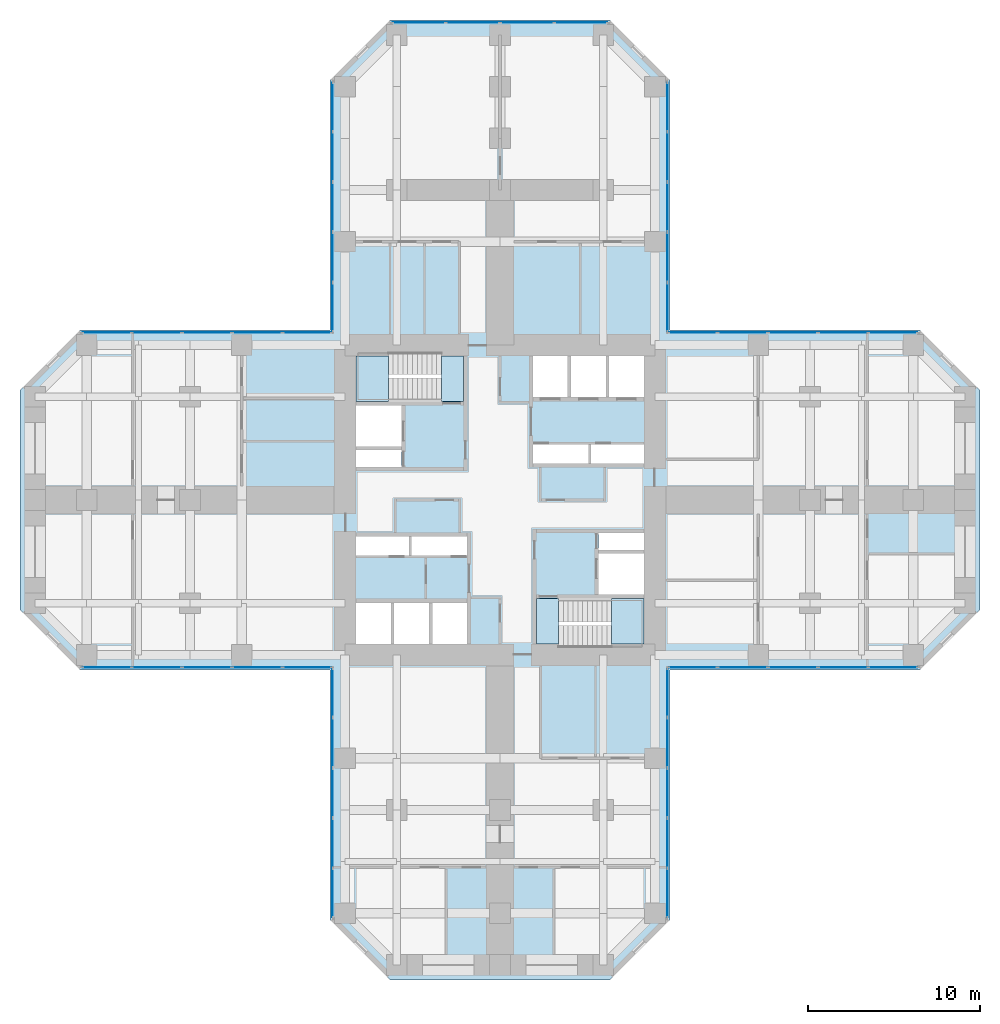
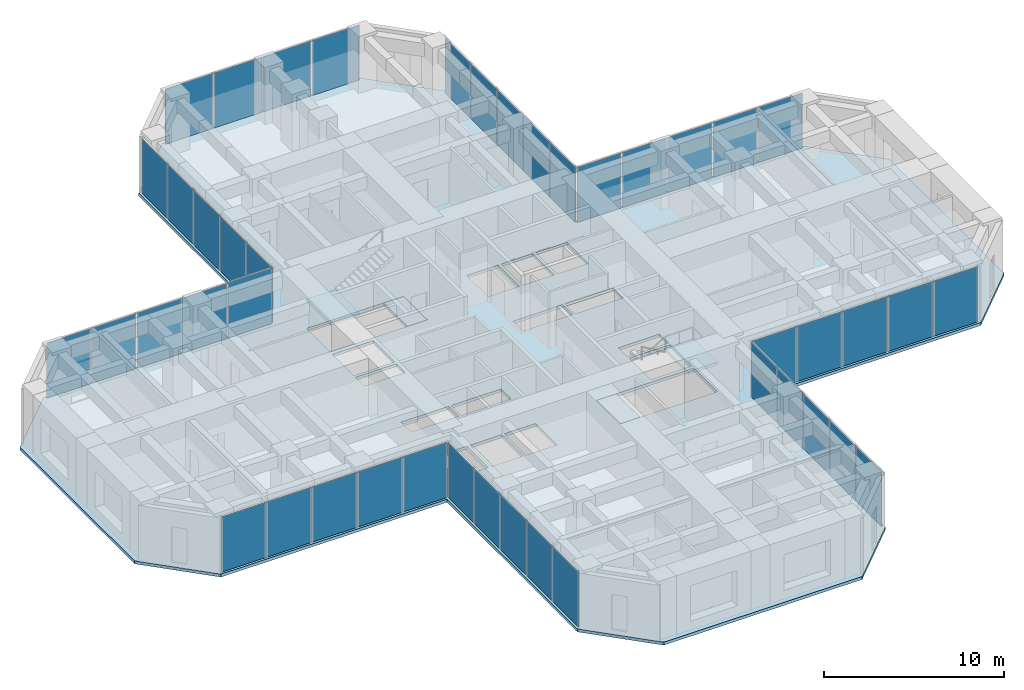
# One storey, part 7 of 13: 44 plates, 5 slabs, 11 elements without a shape of their own.
"""IFC4 building model written with IfcOpenShell, lengths in metres."""

from ifc_helpers import new_model, si_unit, direction, frame, origin, origin_2d, place, context, subcontext, project, spatial, polyline, rectangle, outline, extrude, material, layer, layer_set, type_object, element, aggregate, save


model = new_model("IFC4")

# Units and contexts
model_context = context("Model", 3, precision=1e-05, world=origin(), true_north=direction((0.0, 1.0)))
body_context = subcontext(model_context, "Body", "Model", "MODEL_VIEW")
ifc_project = project(units=[si_unit("LENGTHUNIT", "METRE"), si_unit("AREAUNIT", "SQUARE_METRE"), si_unit("VOLUMEUNIT", "CUBIC_METRE"), si_unit("PLANEANGLEUNIT", "RADIAN"), si_unit("MASSUNIT", "GRAM", prefix="KILO")], contexts=[model_context])

# Site, building, storey
site_placement = place(None, origin())
site = spatial("IfcSite", under=ifc_project, at=site_placement, CompositionType="ELEMENT")
building_placement = place(site_placement, origin())
building = spatial("IfcBuilding", under=site, at=building_placement, Name="Torre Cruceta", CompositionType="ELEMENT")
storey_placement = place(building_placement, frame((0.0, 0.0, 31.5)))
storey = spatial("IfcBuildingStorey", under=building, at=storey_placement, Name="L07", CompositionType="ELEMENT", Elevation=31.5)

# Curtain wall, plate
ifc_material_1 = material(Name="Aluminium unitised curtain wall", Category="aluminium")
curtain_wall_type = type_object("IfcCurtainWallType", Name="CURTAIN WALL CW-A OFFICE LOW RISE", PredefinedType="USERDEFINED", material=ifc_material_1)
curtain_wall_1_placement = place(storey_placement, origin())
curtain_wall_1 = element("IfcCurtainWall", 1, at=curtain_wall_1_placement, inside=storey, type_object=curtain_wall_type, Name="CW-A L07 E side 00", ObjectType="UNITISED", PredefinedType="USERDEFINED")
ifc_material_2 = material(Name="Laminated insulating glass unit, diagonal frit 50 %", Category="glass")
ifc_material_3 = material(Name="Laminated insulating glass unit, diagonal frit 50 %", Category="glass")
ifc_layer_1 = layer(ifc_material_3, 0.033935546875)
ifc_layer_set_1 = layer_set([ifc_layer_1], Name="Laminated insulating glass unit, diagonal frit 50 %")
plate_type_1 = type_object("IfcPlateType", Name="CW-A OPERABLE VENT PANEL 34", PredefinedType="CURTAIN_PANEL", material=ifc_layer_set_1)
plate_1_placement = place(storey_placement, frame((17.009033203125, -9.719970703125, 0.010009765625), z_axis=(0.0, 0.0, 1.0), x_axis=(1.0, 0.0, 0.0)))
plate_1 = element("IfcPlate", 2, at=plate_1_placement, type_object=plate_type_1, material=ifc_material_2, Name="CW-A vent 3", PredefinedType="CURTAIN_PANEL", context=body_context, shape_type="SweptSolid", body=[
    extrude(rectangle(XDim=2.8505859375, YDim=0.033935546875, at=origin_2d()), origin(), (0.0, 0.0, 1.0), 3.72509765625),
])

curtain_wall_2_placement = place(storey_placement, origin())
curtain_wall_2 = element("IfcCurtainWall", 3, at=curtain_wall_2_placement, inside=storey, type_object=curtain_wall_type, Name="CW-A L07 E side 04", ObjectType="UNITISED", PredefinedType="USERDEFINED")
plate_2_placement = place(storey_placement, frame((17.009033203125, 9.719970703125, 0.010009765625), z_axis=(0.0, 0.0, 1.0), x_axis=(-1.0, 0.0, 0.0)))
plate_2 = element("IfcPlate", 4, at=plate_2_placement, type_object=plate_type_1, material=ifc_material_2, Name="CW-A vent 3", PredefinedType="CURTAIN_PANEL", context=body_context, shape_type="SweptSolid", body=[
    extrude(rectangle(XDim=2.8505859375, YDim=0.033935546875, at=origin_2d()), origin(), (0.0, 0.0, 1.0), 3.72509765625),
])

curtain_wall_3_placement = place(storey_placement, origin())
curtain_wall_3 = element("IfcCurtainWall", 5, at=curtain_wall_3_placement, inside=storey, type_object=curtain_wall_type, Name="CW-A L07 N side 05", ObjectType="UNITISED", PredefinedType="USERDEFINED")
plate_3_placement = place(storey_placement, frame((9.719970703125, 17.009033203125, 0.010009765625), z_axis=(0.0, 0.0, 1.0), x_axis=(0.0, 1.0, 0.0)))
plate_3 = element("IfcPlate", 6, at=plate_3_placement, type_object=plate_type_1, material=ifc_material_2, Name="CW-A vent 3", PredefinedType="CURTAIN_PANEL", context=body_context, shape_type="SweptSolid", body=[
    extrude(rectangle(XDim=2.8505859375, YDim=0.033935546875, at=origin_2d()), origin(), (0.0, 0.0, 1.0), 3.72509765625),
])

curtain_wall_4_placement = place(storey_placement, origin())
curtain_wall_4 = element("IfcCurtainWall", 7, at=curtain_wall_4_placement, inside=storey, type_object=curtain_wall_type, Name="CW-A L07 N tip 07", ObjectType="UNITISED", PredefinedType="USERDEFINED")
plate_4_placement = place(storey_placement, frame((-1.574462890625, 27.719970703125, 0.010009765625), z_axis=(0.0, 0.0, 1.0), x_axis=(-1.0, 0.0, 0.0)))
plate_4 = element("IfcPlate", 8, at=plate_4_placement, type_object=plate_type_1, material=ifc_material_2, Name="CW-A vent 3", PredefinedType="CURTAIN_PANEL", context=body_context, shape_type="SweptSolid", body=[
    extrude(rectangle(XDim=3.084228515625, YDim=0.033935546875, at=origin_2d()), origin(), (0.0, 0.0, 1.0), 3.72509765625),
])

curtain_wall_5_placement = place(storey_placement, origin())
curtain_wall_5 = element("IfcCurtainWall", 9, at=curtain_wall_5_placement, inside=storey, type_object=curtain_wall_type, Name="CW-A L07 N side 09", ObjectType="UNITISED", PredefinedType="USERDEFINED")
plate_5_placement = place(storey_placement, frame((-9.719970703125, 17.009033203125, 0.010009765625), z_axis=(0.0, 0.0, 1.0), x_axis=(0.0, -1.0, 0.0)))
plate_5 = element("IfcPlate", 10, at=plate_5_placement, type_object=plate_type_1, material=ifc_material_2, Name="CW-A vent 3", PredefinedType="CURTAIN_PANEL", context=body_context, shape_type="SweptSolid", body=[
    extrude(rectangle(XDim=2.8505859375, YDim=0.033935546875, at=origin_2d()), origin(), (0.0, 0.0, 1.0), 3.72509765625),
])

curtain_wall_6_placement = place(storey_placement, origin())
curtain_wall_6 = element("IfcCurtainWall", 11, at=curtain_wall_6_placement, inside=storey, type_object=curtain_wall_type, Name="CW-A L07 W side 10", ObjectType="UNITISED", PredefinedType="USERDEFINED")
plate_6_placement = place(storey_placement, frame((-17.009033203125, 9.719970703125, 0.010009765625), z_axis=(0.0, 0.0, 1.0), x_axis=(-1.0, 0.0, 0.0)))
plate_6 = element("IfcPlate", 12, at=plate_6_placement, type_object=plate_type_1, material=ifc_material_2, Name="CW-A vent 3", PredefinedType="CURTAIN_PANEL", context=body_context, shape_type="SweptSolid", body=[
    extrude(rectangle(XDim=2.8505859375, YDim=0.033935546875, at=origin_2d()), origin(), (0.0, 0.0, 1.0), 3.72509765625),
])

curtain_wall_7_placement = place(storey_placement, origin())
curtain_wall_7 = element("IfcCurtainWall", 13, at=curtain_wall_7_placement, inside=storey, type_object=curtain_wall_type, Name="CW-A L07 W side 14", ObjectType="UNITISED", PredefinedType="USERDEFINED")
plate_7_placement = place(storey_placement, frame((-17.009033203125, -9.719970703125, 0.010009765625), z_axis=(0.0, 0.0, 1.0), x_axis=(1.0, 0.0, 0.0)))
plate_7 = element("IfcPlate", 14, at=plate_7_placement, type_object=plate_type_1, material=ifc_material_2, Name="CW-A vent 3", PredefinedType="CURTAIN_PANEL", context=body_context, shape_type="SweptSolid", body=[
    extrude(rectangle(XDim=2.8505859375, YDim=0.033935546875, at=origin_2d()), origin(), (0.0, 0.0, 1.0), 3.72509765625),
])

curtain_wall_8_placement = place(storey_placement, origin())
curtain_wall_8 = element("IfcCurtainWall", 15, at=curtain_wall_8_placement, inside=storey, type_object=curtain_wall_type, Name="CW-A L07 S side 15", ObjectType="UNITISED", PredefinedType="USERDEFINED")
plate_8_placement = place(storey_placement, frame((-9.719970703125, -17.009033203125, 0.010009765625), z_axis=(0.0, 0.0, 1.0), x_axis=(0.0, -1.0, 0.0)))
plate_8 = element("IfcPlate", 16, at=plate_8_placement, type_object=plate_type_1, material=ifc_material_2, Name="CW-A vent 3", PredefinedType="CURTAIN_PANEL", context=body_context, shape_type="SweptSolid", body=[
    extrude(rectangle(XDim=2.8505859375, YDim=0.033935546875, at=origin_2d()), origin(), (0.0, 0.0, 1.0), 3.72509765625),
])

curtain_wall_9_placement = place(storey_placement, origin())
curtain_wall_9 = element("IfcCurtainWall", 17, at=curtain_wall_9_placement, inside=storey, type_object=curtain_wall_type, Name="CW-A L07 S side 19", ObjectType="UNITISED", PredefinedType="USERDEFINED")
plate_9_placement = place(storey_placement, frame((9.719970703125, -17.009033203125, 0.010009765625), z_axis=(0.0, 0.0, 1.0), x_axis=(0.0, 1.0, 0.0)))
plate_9 = element("IfcPlate", 18, at=plate_9_placement, type_object=plate_type_1, material=ifc_material_2, Name="CW-A vent 3", PredefinedType="CURTAIN_PANEL", context=body_context, shape_type="SweptSolid", body=[
    extrude(rectangle(XDim=2.8505859375, YDim=0.033935546875, at=origin_2d()), origin(), (0.0, 0.0, 1.0), 3.72509765625),
])

# Plate
ifc_material_4 = material(Name="Laminated insulating glass unit, low-iron clear", Category="glass")
ifc_material_5 = material(Name="Laminated insulating glass unit, diagonal frit 50 %", Category="glass")
ifc_layer_2 = layer(ifc_material_5, 0.033935546875)
ifc_layer_set_2 = layer_set([ifc_layer_2], Name="Laminated insulating glass unit, diagonal frit 50 %")
plate_type_2 = type_object("IfcPlateType", Name="CW-A PANEL 34", PredefinedType="CURTAIN_PANEL", material=ifc_layer_set_2)
plate_10_placement = place(storey_placement, frame((11.194091796875, -9.719970703125, 0.010009765625), z_axis=(0.0, 0.0, 1.0), x_axis=(1.0, 0.0, 0.0)))
plate_10 = element("IfcPlate", 19, at=plate_10_placement, type_object=plate_type_2, material=ifc_material_4, Name="CW-A panel 1", PredefinedType="CURTAIN_PANEL", context=body_context, shape_type="SweptSolid", body=[
    extrude(rectangle(XDim=2.818115234375, YDim=0.033935546875, at=origin_2d()), origin(), (0.0, 0.0, 1.0), 3.72509765625),
])

plate_11_placement = place(storey_placement, frame((14.093505859375, -9.719970703125, 0.010009765625), z_axis=(0.0, 0.0, 1.0), x_axis=(1.0, 0.0, 0.0)))
plate_11 = element("IfcPlate", 20, at=plate_11_placement, type_object=plate_type_2, material=ifc_material_2, Name="CW-A panel 2", PredefinedType="CURTAIN_PANEL", context=body_context, shape_type="SweptSolid", body=[
    extrude(rectangle(XDim=2.8505859375, YDim=0.033935546875, at=origin_2d()), origin(), (0.0, 0.0, 1.0), 3.72509765625),
])

plate_12_placement = place(storey_placement, frame((19.9248046875, -9.719970703125, 0.010009765625), z_axis=(0.0, 0.0, 1.0), x_axis=(1.0, 0.0, 0.0)))
plate_12 = element("IfcPlate", 21, at=plate_12_placement, type_object=plate_type_2, material=ifc_material_2, Name="CW-A panel 4", PredefinedType="CURTAIN_PANEL", context=body_context, shape_type="SweptSolid", body=[
    extrude(rectangle(XDim=2.8505859375, YDim=0.033935546875, at=origin_2d()), origin(), (0.0, 0.0, 1.0), 3.72509765625),
])

plate_13_placement = place(storey_placement, frame((22.82421875, -9.719970703125, 0.010009765625), z_axis=(0.0, 0.0, 1.0), x_axis=(1.0, 0.0, 0.0)))
plate_13 = element("IfcPlate", 22, at=plate_13_placement, type_object=plate_type_2, material=ifc_material_2, Name="CW-A panel 5", PredefinedType="CURTAIN_PANEL", context=body_context, shape_type="SweptSolid", body=[
    extrude(rectangle(XDim=2.818115234375, YDim=0.033935546875, at=origin_2d()), origin(), (0.0, 0.0, 1.0), 3.72509765625),
])

aggregate(curtain_wall_1, [plate_10, plate_11, plate_1, plate_12, plate_13])

plate_14_placement = place(storey_placement, frame((22.82421875, 9.719970703125, 0.010009765625), z_axis=(0.0, 0.0, 1.0), x_axis=(-1.0, 0.0, 0.0)))
plate_14 = element("IfcPlate", 23, at=plate_14_placement, type_object=plate_type_2, material=ifc_material_4, Name="CW-A panel 1", PredefinedType="CURTAIN_PANEL", context=body_context, shape_type="SweptSolid", body=[
    extrude(rectangle(XDim=2.818115234375, YDim=0.033935546875, at=origin_2d()), origin(), (0.0, 0.0, 1.0), 3.72509765625),
])

plate_15_placement = place(storey_placement, frame((19.9248046875, 9.719970703125, 0.010009765625), z_axis=(0.0, 0.0, 1.0), x_axis=(-1.0, 0.0, 0.0)))
plate_15 = element("IfcPlate", 24, at=plate_15_placement, type_object=plate_type_2, material=ifc_material_2, Name="CW-A panel 2", PredefinedType="CURTAIN_PANEL", context=body_context, shape_type="SweptSolid", body=[
    extrude(rectangle(XDim=2.8505859375, YDim=0.033935546875, at=origin_2d()), origin(), (0.0, 0.0, 1.0), 3.72509765625),
])

plate_16_placement = place(storey_placement, frame((14.093505859375, 9.719970703125, 0.010009765625), z_axis=(0.0, 0.0, 1.0), x_axis=(-1.0, 0.0, 0.0)))
plate_16 = element("IfcPlate", 25, at=plate_16_placement, type_object=plate_type_2, material=ifc_material_2, Name="CW-A panel 4", PredefinedType="CURTAIN_PANEL", context=body_context, shape_type="SweptSolid", body=[
    extrude(rectangle(XDim=2.8505859375, YDim=0.033935546875, at=origin_2d()), origin(), (0.0, 0.0, 1.0), 3.72509765625),
])

plate_17_placement = place(storey_placement, frame((11.194091796875, 9.719970703125, 0.010009765625), z_axis=(0.0, 0.0, 1.0), x_axis=(-1.0, 0.0, 0.0)))
plate_17 = element("IfcPlate", 26, at=plate_17_placement, type_object=plate_type_2, material=ifc_material_2, Name="CW-A panel 5", PredefinedType="CURTAIN_PANEL", context=body_context, shape_type="SweptSolid", body=[
    extrude(rectangle(XDim=2.818115234375, YDim=0.033935546875, at=origin_2d()), origin(), (0.0, 0.0, 1.0), 3.72509765625),
])

aggregate(curtain_wall_2, [plate_14, plate_15, plate_2, plate_16, plate_17])

plate_18_placement = place(storey_placement, frame((9.719970703125, 11.194091796875, 0.010009765625), z_axis=(0.0, 0.0, 1.0), x_axis=(0.0, 1.0, 0.0)))
plate_18 = element("IfcPlate", 27, at=plate_18_placement, type_object=plate_type_2, material=ifc_material_4, Name="CW-A panel 1", PredefinedType="CURTAIN_PANEL", context=body_context, shape_type="SweptSolid", body=[
    extrude(rectangle(XDim=2.818115234375, YDim=0.033935546875, at=origin_2d()), origin(), (0.0, 0.0, 1.0), 3.72509765625),
])

plate_19_placement = place(storey_placement, frame((9.719970703125, 14.093505859375, 0.010009765625), z_axis=(0.0, 0.0, 1.0), x_axis=(0.0, 1.0, 0.0)))
plate_19 = element("IfcPlate", 28, at=plate_19_placement, type_object=plate_type_2, material=ifc_material_2, Name="CW-A panel 2", PredefinedType="CURTAIN_PANEL", context=body_context, shape_type="SweptSolid", body=[
    extrude(rectangle(XDim=2.8505859375, YDim=0.033935546875, at=origin_2d()), origin(), (0.0, 0.0, 1.0), 3.72509765625),
])

plate_20_placement = place(storey_placement, frame((9.719970703125, 19.9248046875, 0.010009765625), z_axis=(0.0, 0.0, 1.0), x_axis=(0.0, 1.0, 0.0)))
plate_20 = element("IfcPlate", 29, at=plate_20_placement, type_object=plate_type_2, material=ifc_material_2, Name="CW-A panel 4", PredefinedType="CURTAIN_PANEL", context=body_context, shape_type="SweptSolid", body=[
    extrude(rectangle(XDim=2.8505859375, YDim=0.033935546875, at=origin_2d()), origin(), (0.0, 0.0, 1.0), 3.72509765625),
])

plate_21_placement = place(storey_placement, frame((9.719970703125, 22.82421875, 0.010009765625), z_axis=(0.0, 0.0, 1.0), x_axis=(0.0, 1.0, 0.0)))
plate_21 = element("IfcPlate", 30, at=plate_21_placement, type_object=plate_type_2, material=ifc_material_2, Name="CW-A panel 5", PredefinedType="CURTAIN_PANEL", context=body_context, shape_type="SweptSolid", body=[
    extrude(rectangle(XDim=2.818115234375, YDim=0.033935546875, at=origin_2d()), origin(), (0.0, 0.0, 1.0), 3.72509765625),
])

aggregate(curtain_wall_3, [plate_18, plate_19, plate_3, plate_20, plate_21])

plate_22_placement = place(storey_placement, frame((4.70751953125, 27.719970703125, 0.010009765625), z_axis=(0.0, 0.0, 1.0), x_axis=(-1.0, 0.0, 0.0)))
plate_22 = element("IfcPlate", 31, at=plate_22_placement, type_object=plate_type_2, material=ifc_material_4, Name="CW-A panel 1", PredefinedType="CURTAIN_PANEL", context=body_context, shape_type="SweptSolid", body=[
    extrude(rectangle(XDim=3.051513671875, YDim=0.033935546875, at=origin_2d()), origin(), (0.0, 0.0, 1.0), 3.72509765625),
])

plate_23_placement = place(storey_placement, frame((1.574462890625, 27.719970703125, 0.010009765625), z_axis=(0.0, 0.0, 1.0), x_axis=(-1.0, 0.0, 0.0)))
plate_23 = element("IfcPlate", 32, at=plate_23_placement, type_object=plate_type_2, material=ifc_material_2, Name="CW-A panel 2", PredefinedType="CURTAIN_PANEL", context=body_context, shape_type="SweptSolid", body=[
    extrude(rectangle(XDim=3.084228515625, YDim=0.033935546875, at=origin_2d()), origin(), (0.0, 0.0, 1.0), 3.72509765625),
])

plate_24_placement = place(storey_placement, frame((-4.70751953125, 27.719970703125, 0.010009765625), z_axis=(0.0, 0.0, 1.0), x_axis=(-1.0, 0.0, 0.0)))
plate_24 = element("IfcPlate", 33, at=plate_24_placement, type_object=plate_type_2, material=ifc_material_2, Name="CW-A panel 4", PredefinedType="CURTAIN_PANEL", context=body_context, shape_type="SweptSolid", body=[
    extrude(rectangle(XDim=3.051513671875, YDim=0.033935546875, at=origin_2d()), origin(), (0.0, 0.0, 1.0), 3.72509765625),
])

aggregate(curtain_wall_4, [plate_22, plate_23, plate_4, plate_24])

plate_25_placement = place(storey_placement, frame((-9.719970703125, 22.82421875, 0.010009765625), z_axis=(0.0, 0.0, 1.0), x_axis=(0.0, -1.0, 0.0)))
plate_25 = element("IfcPlate", 34, at=plate_25_placement, type_object=plate_type_2, material=ifc_material_4, Name="CW-A panel 1", PredefinedType="CURTAIN_PANEL", context=body_context, shape_type="SweptSolid", body=[
    extrude(rectangle(XDim=2.818115234375, YDim=0.033935546875, at=origin_2d()), origin(), (0.0, 0.0, 1.0), 3.72509765625),
])

plate_26_placement = place(storey_placement, frame((-9.719970703125, 19.9248046875, 0.010009765625), z_axis=(0.0, 0.0, 1.0), x_axis=(0.0, -1.0, 0.0)))
plate_26 = element("IfcPlate", 35, at=plate_26_placement, type_object=plate_type_2, material=ifc_material_2, Name="CW-A panel 2", PredefinedType="CURTAIN_PANEL", context=body_context, shape_type="SweptSolid", body=[
    extrude(rectangle(XDim=2.8505859375, YDim=0.033935546875, at=origin_2d()), origin(), (0.0, 0.0, 1.0), 3.72509765625),
])

plate_27_placement = place(storey_placement, frame((-9.719970703125, 14.093505859375, 0.010009765625), z_axis=(0.0, 0.0, 1.0), x_axis=(0.0, -1.0, 0.0)))
plate_27 = element("IfcPlate", 36, at=plate_27_placement, type_object=plate_type_2, material=ifc_material_2, Name="CW-A panel 4", PredefinedType="CURTAIN_PANEL", context=body_context, shape_type="SweptSolid", body=[
    extrude(rectangle(XDim=2.8505859375, YDim=0.033935546875, at=origin_2d()), origin(), (0.0, 0.0, 1.0), 3.72509765625),
])

plate_28_placement = place(storey_placement, frame((-9.719970703125, 11.194091796875, 0.010009765625), z_axis=(0.0, 0.0, 1.0), x_axis=(0.0, -1.0, 0.0)))
plate_28 = element("IfcPlate", 37, at=plate_28_placement, type_object=plate_type_2, material=ifc_material_2, Name="CW-A panel 5", PredefinedType="CURTAIN_PANEL", context=body_context, shape_type="SweptSolid", body=[
    extrude(rectangle(XDim=2.818115234375, YDim=0.033935546875, at=origin_2d()), origin(), (0.0, 0.0, 1.0), 3.72509765625),
])

aggregate(curtain_wall_5, [plate_25, plate_26, plate_5, plate_27, plate_28])

plate_29_placement = place(storey_placement, frame((-11.194091796875, 9.719970703125, 0.010009765625), z_axis=(0.0, 0.0, 1.0), x_axis=(-1.0, 0.0, 0.0)))
plate_29 = element("IfcPlate", 38, at=plate_29_placement, type_object=plate_type_2, material=ifc_material_4, Name="CW-A panel 1", PredefinedType="CURTAIN_PANEL", context=body_context, shape_type="SweptSolid", body=[
    extrude(rectangle(XDim=2.818115234375, YDim=0.033935546875, at=origin_2d()), origin(), (0.0, 0.0, 1.0), 3.72509765625),
])

plate_30_placement = place(storey_placement, frame((-14.093505859375, 9.719970703125, 0.010009765625), z_axis=(0.0, 0.0, 1.0), x_axis=(-1.0, 0.0, 0.0)))
plate_30 = element("IfcPlate", 39, at=plate_30_placement, type_object=plate_type_2, material=ifc_material_2, Name="CW-A panel 2", PredefinedType="CURTAIN_PANEL", context=body_context, shape_type="SweptSolid", body=[
    extrude(rectangle(XDim=2.8505859375, YDim=0.033935546875, at=origin_2d()), origin(), (0.0, 0.0, 1.0), 3.72509765625),
])

plate_31_placement = place(storey_placement, frame((-19.9248046875, 9.719970703125, 0.010009765625), z_axis=(0.0, 0.0, 1.0), x_axis=(-1.0, 0.0, 0.0)))
plate_31 = element("IfcPlate", 40, at=plate_31_placement, type_object=plate_type_2, material=ifc_material_2, Name="CW-A panel 4", PredefinedType="CURTAIN_PANEL", context=body_context, shape_type="SweptSolid", body=[
    extrude(rectangle(XDim=2.8505859375, YDim=0.033935546875, at=origin_2d()), origin(), (0.0, 0.0, 1.0), 3.72509765625),
])

plate_32_placement = place(storey_placement, frame((-22.82421875, 9.719970703125, 0.010009765625), z_axis=(0.0, 0.0, 1.0), x_axis=(-1.0, 0.0, 0.0)))
plate_32 = element("IfcPlate", 41, at=plate_32_placement, type_object=plate_type_2, material=ifc_material_2, Name="CW-A panel 5", PredefinedType="CURTAIN_PANEL", context=body_context, shape_type="SweptSolid", body=[
    extrude(rectangle(XDim=2.818115234375, YDim=0.033935546875, at=origin_2d()), origin(), (0.0, 0.0, 1.0), 3.72509765625),
])

aggregate(curtain_wall_6, [plate_29, plate_30, plate_6, plate_31, plate_32])

plate_33_placement = place(storey_placement, frame((-22.82421875, -9.719970703125, 0.010009765625), z_axis=(0.0, 0.0, 1.0), x_axis=(1.0, 0.0, 0.0)))
plate_33 = element("IfcPlate", 42, at=plate_33_placement, type_object=plate_type_2, material=ifc_material_4, Name="CW-A panel 1", PredefinedType="CURTAIN_PANEL", context=body_context, shape_type="SweptSolid", body=[
    extrude(rectangle(XDim=2.818115234375, YDim=0.033935546875, at=origin_2d()), origin(), (0.0, 0.0, 1.0), 3.72509765625),
])

plate_34_placement = place(storey_placement, frame((-19.9248046875, -9.719970703125, 0.010009765625), z_axis=(0.0, 0.0, 1.0), x_axis=(1.0, 0.0, 0.0)))
plate_34 = element("IfcPlate", 43, at=plate_34_placement, type_object=plate_type_2, material=ifc_material_2, Name="CW-A panel 2", PredefinedType="CURTAIN_PANEL", context=body_context, shape_type="SweptSolid", body=[
    extrude(rectangle(XDim=2.8505859375, YDim=0.033935546875, at=origin_2d()), origin(), (0.0, 0.0, 1.0), 3.72509765625),
])

plate_35_placement = place(storey_placement, frame((-14.093505859375, -9.719970703125, 0.010009765625), z_axis=(0.0, 0.0, 1.0), x_axis=(1.0, 0.0, 0.0)))
plate_35 = element("IfcPlate", 44, at=plate_35_placement, type_object=plate_type_2, material=ifc_material_2, Name="CW-A panel 4", PredefinedType="CURTAIN_PANEL", context=body_context, shape_type="SweptSolid", body=[
    extrude(rectangle(XDim=2.8505859375, YDim=0.033935546875, at=origin_2d()), origin(), (0.0, 0.0, 1.0), 3.72509765625),
])

plate_36_placement = place(storey_placement, frame((-11.194091796875, -9.719970703125, 0.010009765625), z_axis=(0.0, 0.0, 1.0), x_axis=(1.0, 0.0, 0.0)))
plate_36 = element("IfcPlate", 45, at=plate_36_placement, type_object=plate_type_2, material=ifc_material_2, Name="CW-A panel 5", PredefinedType="CURTAIN_PANEL", context=body_context, shape_type="SweptSolid", body=[
    extrude(rectangle(XDim=2.818115234375, YDim=0.033935546875, at=origin_2d()), origin(), (0.0, 0.0, 1.0), 3.72509765625),
])

aggregate(curtain_wall_7, [plate_33, plate_34, plate_7, plate_35, plate_36])

plate_37_placement = place(storey_placement, frame((-9.719970703125, -11.194091796875, 0.010009765625), z_axis=(0.0, 0.0, 1.0), x_axis=(0.0, -1.0, 0.0)))
plate_37 = element("IfcPlate", 46, at=plate_37_placement, type_object=plate_type_2, material=ifc_material_4, Name="CW-A panel 1", PredefinedType="CURTAIN_PANEL", context=body_context, shape_type="SweptSolid", body=[
    extrude(rectangle(XDim=2.818115234375, YDim=0.033935546875, at=origin_2d()), origin(), (0.0, 0.0, 1.0), 3.72509765625),
])

plate_38_placement = place(storey_placement, frame((-9.719970703125, -14.093505859375, 0.010009765625), z_axis=(0.0, 0.0, 1.0), x_axis=(0.0, -1.0, 0.0)))
plate_38 = element("IfcPlate", 47, at=plate_38_placement, type_object=plate_type_2, material=ifc_material_2, Name="CW-A panel 2", PredefinedType="CURTAIN_PANEL", context=body_context, shape_type="SweptSolid", body=[
    extrude(rectangle(XDim=2.8505859375, YDim=0.033935546875, at=origin_2d()), origin(), (0.0, 0.0, 1.0), 3.72509765625),
])

plate_39_placement = place(storey_placement, frame((-9.719970703125, -19.9248046875, 0.010009765625), z_axis=(0.0, 0.0, 1.0), x_axis=(0.0, -1.0, 0.0)))
plate_39 = element("IfcPlate", 48, at=plate_39_placement, type_object=plate_type_2, material=ifc_material_2, Name="CW-A panel 4", PredefinedType="CURTAIN_PANEL", context=body_context, shape_type="SweptSolid", body=[
    extrude(rectangle(XDim=2.8505859375, YDim=0.033935546875, at=origin_2d()), origin(), (0.0, 0.0, 1.0), 3.72509765625),
])

plate_40_placement = place(storey_placement, frame((-9.719970703125, -22.82421875, 0.010009765625), z_axis=(0.0, 0.0, 1.0), x_axis=(0.0, -1.0, 0.0)))
plate_40 = element("IfcPlate", 49, at=plate_40_placement, type_object=plate_type_2, material=ifc_material_2, Name="CW-A panel 5", PredefinedType="CURTAIN_PANEL", context=body_context, shape_type="SweptSolid", body=[
    extrude(rectangle(XDim=2.818115234375, YDim=0.033935546875, at=origin_2d()), origin(), (0.0, 0.0, 1.0), 3.72509765625),
])

aggregate(curtain_wall_8, [plate_37, plate_38, plate_8, plate_39, plate_40])

plate_41_placement = place(storey_placement, frame((9.719970703125, -22.82421875, 0.010009765625), z_axis=(0.0, 0.0, 1.0), x_axis=(0.0, 1.0, 0.0)))
plate_41 = element("IfcPlate", 50, at=plate_41_placement, type_object=plate_type_2, material=ifc_material_4, Name="CW-A panel 1", PredefinedType="CURTAIN_PANEL", context=body_context, shape_type="SweptSolid", body=[
    extrude(rectangle(XDim=2.818115234375, YDim=0.033935546875, at=origin_2d()), origin(), (0.0, 0.0, 1.0), 3.72509765625),
])

plate_42_placement = place(storey_placement, frame((9.719970703125, -19.9248046875, 0.010009765625), z_axis=(0.0, 0.0, 1.0), x_axis=(0.0, 1.0, 0.0)))
plate_42 = element("IfcPlate", 51, at=plate_42_placement, type_object=plate_type_2, material=ifc_material_2, Name="CW-A panel 2", PredefinedType="CURTAIN_PANEL", context=body_context, shape_type="SweptSolid", body=[
    extrude(rectangle(XDim=2.8505859375, YDim=0.033935546875, at=origin_2d()), origin(), (0.0, 0.0, 1.0), 3.72509765625),
])

plate_43_placement = place(storey_placement, frame((9.719970703125, -14.093505859375, 0.010009765625), z_axis=(0.0, 0.0, 1.0), x_axis=(0.0, 1.0, 0.0)))
plate_43 = element("IfcPlate", 52, at=plate_43_placement, type_object=plate_type_2, material=ifc_material_2, Name="CW-A panel 4", PredefinedType="CURTAIN_PANEL", context=body_context, shape_type="SweptSolid", body=[
    extrude(rectangle(XDim=2.8505859375, YDim=0.033935546875, at=origin_2d()), origin(), (0.0, 0.0, 1.0), 3.72509765625),
])

plate_44_placement = place(storey_placement, frame((9.719970703125, -11.194091796875, 0.010009765625), z_axis=(0.0, 0.0, 1.0), x_axis=(0.0, 1.0, 0.0)))
plate_44 = element("IfcPlate", 53, at=plate_44_placement, type_object=plate_type_2, material=ifc_material_2, Name="CW-A panel 5", PredefinedType="CURTAIN_PANEL", context=body_context, shape_type="SweptSolid", body=[
    extrude(rectangle(XDim=2.818115234375, YDim=0.033935546875, at=origin_2d()), origin(), (0.0, 0.0, 1.0), 3.72509765625),
])

aggregate(curtain_wall_9, [plate_41, plate_42, plate_9, plate_43, plate_44])

# Slab
ifc_material_6 = material(Name="Concrete G35 (fck 35 MPa)", Category="concrete")
ifc_layer_3 = layer(ifc_material_6, 0.199951171875)
ifc_layer_set_3 = layer_set([ifc_layer_3], Name="Concrete G35 (fck 35 MPa)")
slab_type_1 = type_object("IfcSlabType", Name="FLOOR SLAB 200", PredefinedType="FLOOR", material=ifc_layer_set_3)
slab_1_placement = place(storey_placement, frame((0.0, 0.0, -0.199951171875)))
element("IfcSlab", 54, at=slab_1_placement, inside=storey, type_object=slab_type_1, Name="Floor Slab L07", PredefinedType="FLOOR", context=body_context, shape_type="SweptSolid", body=[
    extrude(outline(polyline([(9.8701171875, -9.8701171875), (9.8701171875, -24.3603515625), (6.3603515625, -27.8701171875), (-6.3603515625, -27.8701171875), (-9.8701171875, -24.3603515625), (-9.8701171875, -9.8701171875), (-24.3603515625, -9.8701171875), (-27.8701171875, -6.3603515625), (-27.8701171875, 6.3603515625), (-24.3603515625, 9.8701171875), (-9.8701171875, 9.8701171875), (-9.8701171875, 24.3603515625), (-6.3603515625, 27.8701171875), (6.3603515625, 27.8701171875), (9.8701171875, 24.3603515625), (9.8701171875, 9.8701171875), (24.3603515625, 9.8701171875), (27.8701171875, 6.3603515625), (27.8701171875, -6.3603515625), (24.3603515625, -9.8701171875), (9.8701171875, -9.8701171875)]), holes=[polyline([(1.925048828125, 5.97509765625), (3.933349609375, 5.97509765625), (3.933349609375, 8.35009765625), (1.925048828125, 8.35009765625), (1.925048828125, 5.97509765625)]), polyline([(4.13330078125, 5.97509765625), (6.1416015625, 5.97509765625), (6.1416015625, 8.35009765625), (4.13330078125, 8.35009765625), (4.13330078125, 5.97509765625)]), polyline([(6.341552734375, 5.97509765625), (8.35009765625, 5.97509765625), (8.35009765625, 8.35009765625), (6.341552734375, 8.35009765625), (6.341552734375, 5.97509765625)]), polyline([(1.925048828125, 2.125), (5.125, 2.125), (5.125, 3.22509765625), (1.925048828125, 3.22509765625), (1.925048828125, 2.125)]), polyline([(5.27490234375, 2.125), (8.35009765625, 2.125), (8.35009765625, 3.22509765625), (5.27490234375, 3.22509765625), (5.27490234375, 2.125)]), polyline([(-8.35009765625, 3.10009765625), (-5.72509765625, 3.10009765625), (-5.72509765625, 5.47509765625), (-8.35009765625, 5.47509765625), (-8.35009765625, 3.10009765625)]), polyline([(-8.35009765625, 1.925048828125), (-5.72509765625, 1.925048828125), (-5.72509765625, 2.89990234375), (-8.35009765625, 2.89990234375), (-8.35009765625, 1.925048828125)]), polyline([(-3.933349609375, -8.35009765625), (-1.925048828125, -8.35009765625), (-1.925048828125, -5.97509765625), (-3.933349609375, -5.97509765625), (-3.933349609375, -8.35009765625)]), polyline([(-6.1416015625, -8.35009765625), (-4.13330078125, -8.35009765625), (-4.13330078125, -5.97509765625), (-6.1416015625, -5.97509765625), (-6.1416015625, -8.35009765625)]), polyline([(-8.35009765625, -8.35009765625), (-6.341552734375, -8.35009765625), (-6.341552734375, -5.97509765625), (-8.35009765625, -5.97509765625), (-8.35009765625, -8.35009765625)]), polyline([(-5.125, -3.22509765625), (-1.925048828125, -3.22509765625), (-1.925048828125, -2.125), (-5.125, -2.125), (-5.125, -3.22509765625)]), polyline([(-8.35009765625, -3.22509765625), (-5.27490234375, -3.22509765625), (-5.27490234375, -2.125), (-8.35009765625, -2.125), (-8.35009765625, -3.22509765625)]), polyline([(5.72509765625, -5.47509765625), (8.35009765625, -5.47509765625), (8.35009765625, -3.10009765625), (5.72509765625, -3.10009765625), (5.72509765625, -5.47509765625)]), polyline([(5.72509765625, -2.89990234375), (8.35009765625, -2.89990234375), (8.35009765625, -1.925048828125), (5.72509765625, -1.925048828125), (5.72509765625, -2.89990234375)]), polyline([(-8.35009765625, 5.72509765625), (-8.35009765625, 8.35009765625), (-3.39990234375, 8.35009765625), (-2.125, 8.35009765625), (-2.125, 5.72509765625), (-3.39990234375, 5.72509765625), (-8.35009765625, 5.72509765625)]), polyline([(2.125, -5.72509765625), (3.39990234375, -5.72509765625), (8.35009765625, -5.72509765625), (8.35009765625, -8.35009765625), (3.39990234375, -8.35009765625), (2.125, -8.35009765625), (2.125, -5.72509765625)])]), origin(), (0.0, 0.0, 1.0), 0.199951171875),
])

# Stair, slab
ifc_material_7 = material(Name="Concrete G30 (fck 30 MPa)", Category="concrete")
stair_type = type_object("IfcStairType", Name="STAIR HALF-TURN 1300", PredefinedType="HALF_TURN_STAIR", material=ifc_material_7)
stair_1_placement = place(storey_placement, origin())
stair_1 = element("IfcStair", 55, at=stair_1_placement, inside=storey, type_object=stair_type, Name="Stair ST1 L07", PredefinedType="HALF_TURN_STAIR")
ifc_material_8 = material(Name="Concrete G30 (fck 30 MPa)", Category="concrete")
ifc_layer_4 = layer(ifc_material_8, 0.199951171875)
ifc_layer_set_4 = layer_set([ifc_layer_4], Name="Concrete G30 (fck 30 MPa)")
slab_type_2 = type_object("IfcSlabType", Name="STAIR LANDING 200", PredefinedType="LANDING", material=ifc_layer_set_4)
slab_2_placement = place(storey_placement, frame((0.0, 0.0, 1.800048828125)))
slab_2 = element("IfcSlab", 56, at=slab_2_placement, type_object=slab_type_2, Name="ST1 landing 1", PredefinedType="LANDING", context=body_context, shape_type="SweptSolid", body=[
    extrude(outline(polyline([(-8.35009765625, 5.72509765625), (-6.47998046875, 5.72509765625), (-6.47998046875, 8.35009765625), (-8.35009765625, 8.35009765625), (-8.35009765625, 5.72509765625)])), origin(), (0.0, 0.0, 1.0), 0.199951171875),
])
aggregate(stair_1, [slab_2])

stair_2_placement = place(storey_placement, origin())
stair_2 = element("IfcStair", 57, at=stair_2_placement, inside=storey, type_object=stair_type, Name="Stair ST2 L07", PredefinedType="HALF_TURN_STAIR")
slab_3_placement = place(storey_placement, frame((0.0, 0.0, 1.800048828125)))
slab_3 = element("IfcSlab", 58, at=slab_3_placement, type_object=slab_type_2, Name="ST2 landing 1", PredefinedType="LANDING", context=body_context, shape_type="SweptSolid", body=[
    extrude(outline(polyline([(6.47998046875, -8.35009765625), (8.35009765625, -8.35009765625), (8.35009765625, -5.72509765625), (6.47998046875, -5.72509765625), (6.47998046875, -8.35009765625)])), origin(), (0.0, 0.0, 1.0), 0.199951171875),
])
aggregate(stair_2, [slab_3])

# Slabs
slab_4_placement = place(storey_placement, frame((0.0, 0.0, -0.199951171875)))
element("IfcSlab", 59, at=slab_4_placement, inside=storey, type_object=slab_type_2, Name="Stair ST1 floor landing L07", PredefinedType="LANDING", context=body_context, shape_type="SweptSolid", body=[
    extrude(outline(polyline([(-2.125, 8.35009765625), (-2.125, 5.72509765625), (-3.39990234375, 5.72509765625), (-3.39990234375, 8.35009765625), (-2.125, 8.35009765625)])), origin(), (0.0, 0.0, 1.0), 0.199951171875),
])
slab_5_placement = place(storey_placement, frame((0.0, 0.0, -0.199951171875)))
element("IfcSlab", 60, at=slab_5_placement, inside=storey, type_object=slab_type_2, Name="Stair ST2 floor landing L07", PredefinedType="LANDING", context=body_context, shape_type="SweptSolid", body=[
    extrude(outline(polyline([(2.125, -8.35009765625), (2.125, -5.72509765625), (3.39990234375, -5.72509765625), (3.39990234375, -8.35009765625), (2.125, -8.35009765625)])), origin(), (0.0, 0.0, 1.0), 0.199951171875),
])

save(model, "model.ifc")
